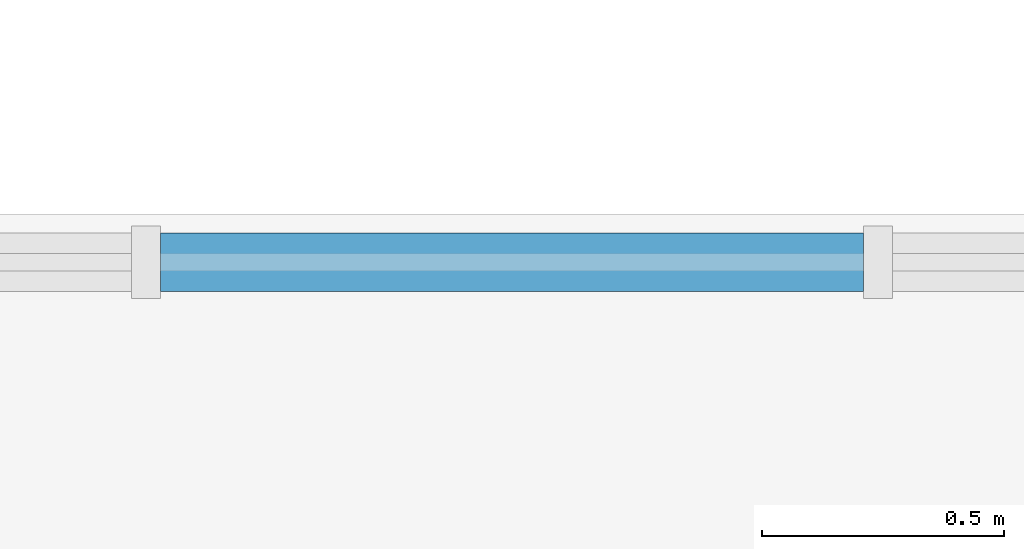
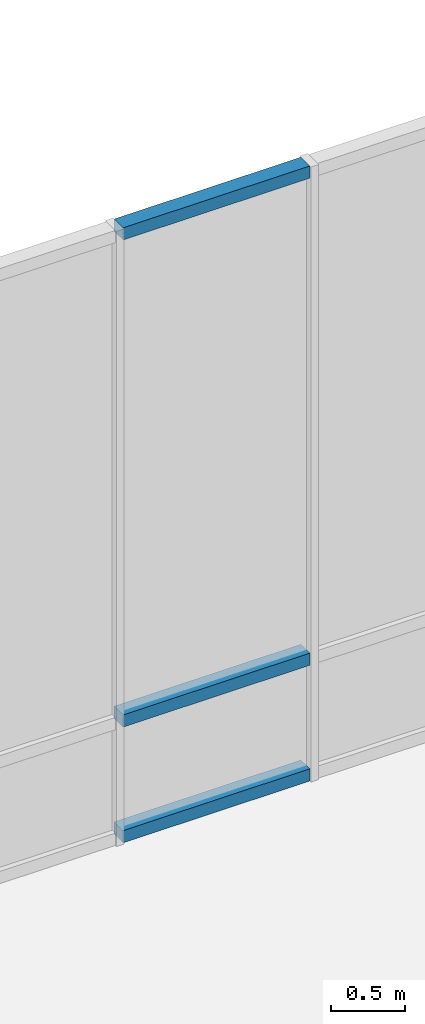
# One storey, part 12 of 30: 3 members, 1 element without a shape of its own.
"""IFC4 building model written with IfcOpenShell, lengths in metres."""

from ifc_helpers import new_model, si_unit, direction, frame, origin, origin_2d, place, context, subcontext, project, spatial, rectangle, extrude, material, layer, layer_set, material_profile, profile_set, type_object, element, aggregate, save


model = new_model("IFC4")

# Units and contexts
model_context = context("Model", 3, precision=1e-05, world=origin(), true_north=direction((0.0, 1.0)))
body_context = subcontext(model_context, "Body", "Model", "MODEL_VIEW")
ifc_project = project(units=[si_unit("LENGTHUNIT", "METRE"), si_unit("AREAUNIT", "SQUARE_METRE"), si_unit("VOLUMEUNIT", "CUBIC_METRE"), si_unit("PLANEANGLEUNIT", "RADIAN"), si_unit("MASSUNIT", "GRAM", prefix="KILO")], contexts=[model_context])

# Site, building, storey
site_placement = place(None, origin())
site = spatial("IfcSite", under=ifc_project, at=site_placement, CompositionType="ELEMENT")
building_placement = place(site_placement, origin())
building = spatial("IfcBuilding", under=site, at=building_placement, Name="Torana Hotel and Residences", CompositionType="ELEMENT")
storey_placement = place(building_placement, frame((0.0, 0.0, 12.5)))
storey = spatial("IfcBuildingStorey", under=building, at=storey_placement, Name="L02", CompositionType="ELEMENT", Elevation=12.5)

# Curtain wall, members
ifc_material_1 = material(Name="Dark anodised aluminium", Category="aluminium")
ifc_layer = layer(ifc_material_1, 0.14990234375)
ifc_layer_set = layer_set([ifc_layer], Name="CW5 PODIUM UPPER UNITISED CURTAIN WALL")
curtain_wall_type = type_object("IfcCurtainWallType", Name="CW5 PODIUM UPPER UNITISED CURTAIN WALL", PredefinedType="NOTDEFINED", material=ifc_layer_set)
curtain_wall_placement = place(storey_placement, origin())
curtain_wall = element("IfcCurtainWall", 1, at=curtain_wall_placement, inside=storey, type_object=curtain_wall_type, Name="Curtain wall CW5 L02 e1.10", PredefinedType="NOTDEFINED")
ifc_material_2 = material(Name="Dark anodised aluminium", Category="aluminium")
ifc_material_profile = material_profile(ifc_material_2, rectangle(XDim=0.1201171875, YDim=0.10009765625, at=origin_2d()), Name="CW5 TRANSOM 120x100")
ifc_profile_set = profile_set([ifc_material_profile], Name="Dark anodised aluminium")
member_type = type_object("IfcMemberType", Name="CW5 TRANSOM 120x100", PredefinedType="USERDEFINED", material=ifc_profile_set)
member_1_placement = place(storey_placement, frame((16.262939453125, 7.89990234375, 0.050048828125), z_axis=(-1.0, 0.0, 0.0), x_axis=(0.0, -1.0, 0.0)))
member_1 = element("IfcMember", 2, at=member_1_placement, type_object=member_type, Name="CW5 transom 18.1", ObjectType="TRANSOM", PredefinedType="USERDEFINED", context=body_context, shape_type="SweptSolid", body=[
    extrude(rectangle(XDim=0.1201171875, YDim=0.10009765625, at=origin_2d()), origin(), (0.0, 0.0, 1.0), 1.45068359375),
])
member_2_placement = place(storey_placement, frame((16.262939453125, 7.89990234375, 1.0), z_axis=(-1.0, 0.0, 0.0), x_axis=(0.0, -1.0, 0.0)))
member_2 = element("IfcMember", 3, at=member_2_placement, type_object=member_type, Name="CW5 transom 18.2", ObjectType="TRANSOM", PredefinedType="USERDEFINED", context=body_context, shape_type="SweptSolid", body=[
    extrude(rectangle(XDim=0.1201171875, YDim=0.10009765625, at=origin_2d()), origin(), (0.0, 0.0, 1.0), 1.45068359375),
])
member_3_placement = place(storey_placement, frame((16.262939453125, 7.89990234375, 5.0), z_axis=(-1.0, 0.0, 0.0), x_axis=(0.0, -1.0, 0.0)))
member_3 = element("IfcMember", 4, at=member_3_placement, type_object=member_type, Name="CW5 transom 18.3", ObjectType="TRANSOM", PredefinedType="USERDEFINED", context=body_context, shape_type="SweptSolid", body=[
    extrude(rectangle(XDim=0.1201171875, YDim=0.10009765625, at=origin_2d()), origin(), (0.0, 0.0, 1.0), 1.45068359375),
])
aggregate(curtain_wall, [member_1, member_2, member_3])

save(model, "model.ifc")
